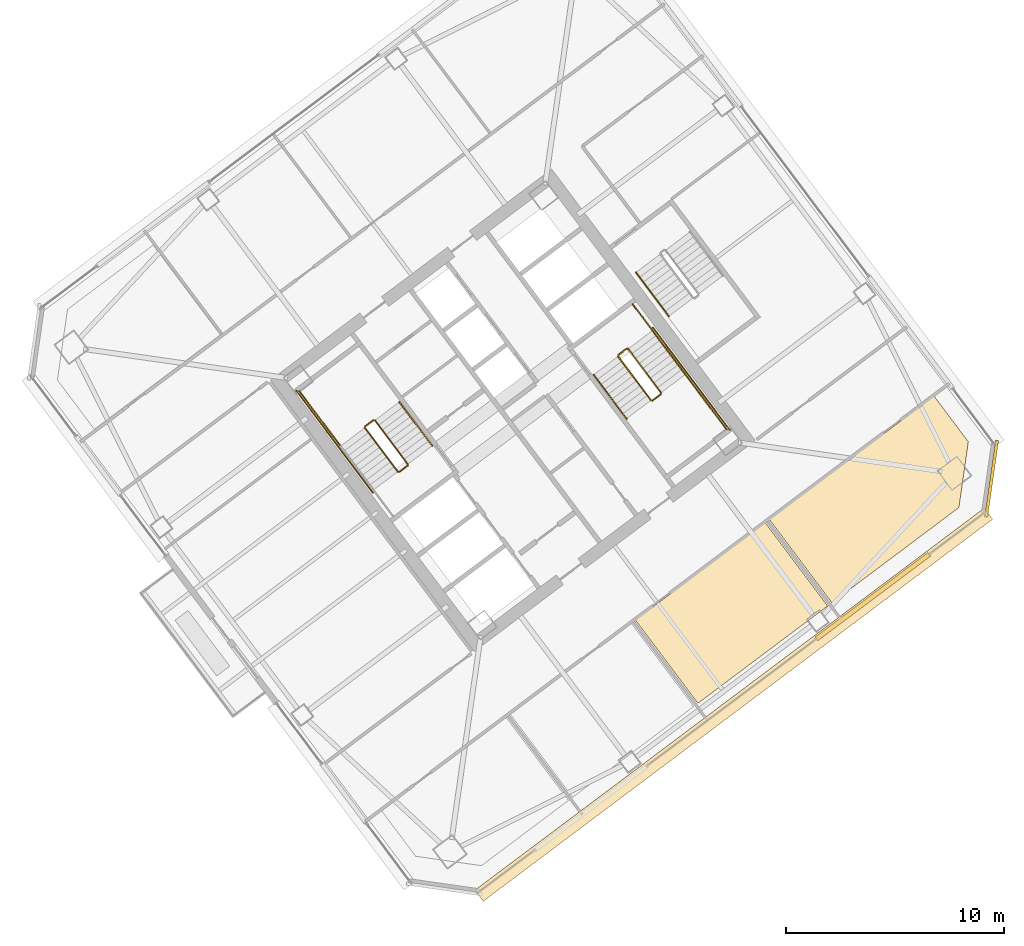
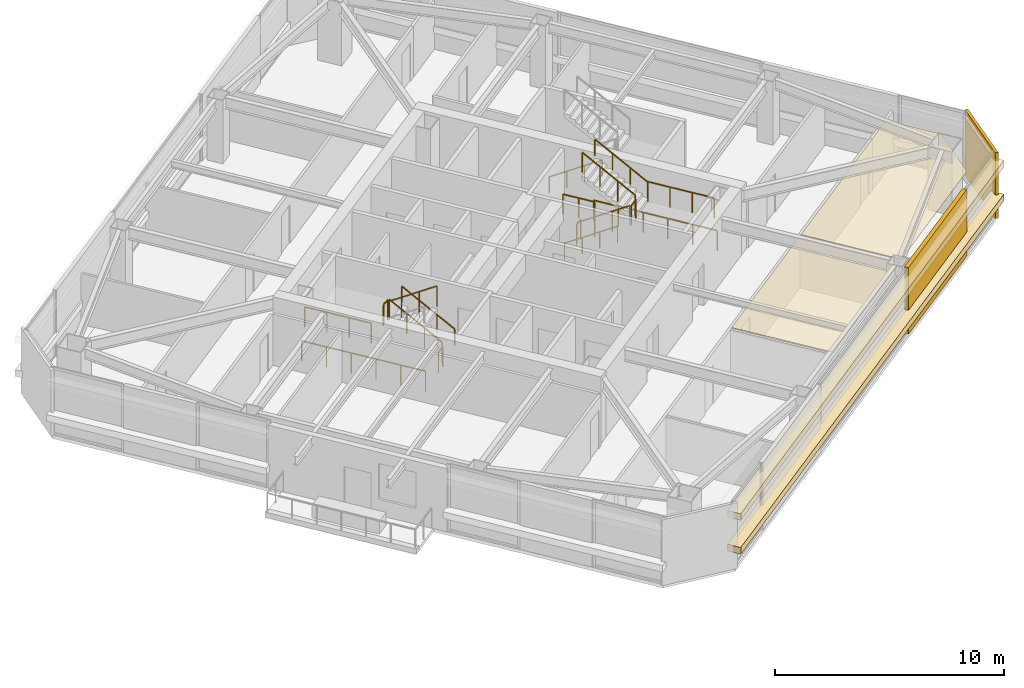
# One storey, part 39 of 41: 17 railings, 6 coverings.
"""IFC4 building model written with IfcOpenShell, lengths in metres."""

from ifc_helpers import new_model, si_unit, direction, frame, origin, origin_2d, place, context, subcontext, project, spatial, polyline, rectangle, outline, extrude, material, layer, layer_set, type_object, element, save


model = new_model("IFC4")

# Units and contexts
model_context = context("Model", 3, precision=1e-05, world=origin(), true_north=direction((0.0, 1.0)))
body_context = subcontext(model_context, "Body", "Model", "MODEL_VIEW")
ifc_project = project(units=[si_unit("LENGTHUNIT", "METRE"), si_unit("AREAUNIT", "SQUARE_METRE"), si_unit("VOLUMEUNIT", "CUBIC_METRE"), si_unit("PLANEANGLEUNIT", "RADIAN"), si_unit("MASSUNIT", "GRAM", prefix="KILO")], contexts=[model_context])

# Site, building, storey
site_placement = place(None, origin())
site = spatial("IfcSite", under=ifc_project, at=site_placement, CompositionType="ELEMENT")
building_placement = place(site_placement, origin())
building = spatial("IfcBuilding", under=site, at=building_placement, Name="Tashvorn Skyway Center", CompositionType="ELEMENT")
storey_placement = place(building_placement, frame((0.0, 0.0, 171.199951171875)))
storey = spatial("IfcBuildingStorey", under=building, at=storey_placement, Name="L46", CompositionType="ELEMENT", Elevation=171.199951171875)

# Coverings
ifc_material_1 = material(Name="Precast concrete C40/50", Category="concrete")
ifc_layer_1 = layer(ifc_material_1, 0.199951171875)
ifc_layer_set_1 = layer_set([ifc_layer_1], Name="Precast concrete C40/50")
covering_type_1 = type_object("IfcCoveringType", Name="COV-BRACE-CLAD", PredefinedType="CLADDING", material=ifc_layer_set_1)
covering_1_placement = place(storey_placement, frame((130.548095703125, 23.43603515625, 0.0), z_axis=(0.0, 0.0, 1.0), x_axis=(-0.799999996291, -0.600000004945, 0.0)))
element("IfcCovering", 1, at=covering_1_placement, inside=storey, type_object=covering_type_1, Name="Tower 2 L46 South Unitised Curtain Wall Mega-Brace Cladding Band 1", PredefinedType="CLADDING", context=body_context, shape_type="SweptSolid", body=[
    extrude(rectangle(XDim=6.47998046875, YDim=0.199951171875, at=origin_2d()), origin(), (0.0, 0.0, 1.0), 3.550048828125),
])
ifc_material_2 = material(Name="Mineral-fibre acoustic ceiling tile on suspended grid")
ifc_layer_2 = layer(ifc_material_2, 0.02001953125)
ifc_layer_set_2 = layer_set([ifc_layer_2], Name="Mineral-fibre acoustic ceiling tile on suspended grid")
covering_type_2 = type_object("IfcCoveringType", Name="COV-CEIL-20", PredefinedType="CEILING", material=ifc_layer_set_2)
covering_2_placement = place(storey_placement, frame((0.0, 0.0, 2.703125)))
element("IfcCovering", 2, at=covering_2_placement, inside=storey, type_object=covering_type_2, Name="Tower 2 L46 Staff Fitness Club Acoustic Ceiling", PredefinedType="CEILING", context=body_context, shape_type="SweptSolid", body=[
    extrude(outline(polyline([(119.6298828125, 22.360107421875), (125.597900390625, 26.8359375), (128.471923828125, 23.00390625), (122.50390625, 18.528076171875), (119.6298828125, 22.360107421875)])), origin(), (0.0, 0.0, 1.0), 0.02001953125),
])
covering_3_placement = place(storey_placement, frame((0.0, 0.0, 2.703125)))
element("IfcCovering", 3, at=covering_3_placement, inside=storey, type_object=covering_type_2, Name="Tower 2 L46 Catering Pantry Acoustic Ceiling", PredefinedType="CEILING", context=body_context, shape_type="SweptSolid", body=[
    extrude(outline(polyline([(128.6640625, 23.14794921875), (125.7900390625, 26.97998046875), (133.35791015625, 32.656005859375), (134.93603515625, 30.552001953125), (134.50390625, 27.528076171875), (128.6640625, 23.14794921875)])), origin(), (0.0, 0.0, 1.0), 0.02001953125),
])
ifc_material_3 = material(Name="Perforated ceramic-coated bronze aluminium solar screen", Category="aluminium")
ifc_layer_3 = layer(ifc_material_3, 0.85009765625)
ifc_layer_set_3 = layer_set([ifc_layer_3], Name="Perforated ceramic-coated bronze aluminium solar screen")
covering_type_3 = type_object("IfcCoveringType", Name="COV-SOLAR-BAND", PredefinedType="CLADDING", material=ifc_layer_set_3)
for number, where, z_axis, x_axis, name in (
    (4, (124.152099609375, 18.464111328125, 0.919921875), (0.0, 0.0, 1.0), (-0.799999996291, -0.600000004945, 0.0), "L46 Perforated Ceramic-Metal Solar Screen Louvre Band South 1"),
    (5, (124.152099609375, 18.464111328125, 2.72021484375), (0.0, 0.0, 1.0), (-0.799999996291, -0.600000004945, 0.0), "L46 Perforated Ceramic-Metal Solar Screen Louvre Band South 2"),
):
    element("IfcCovering", number, at=place(storey_placement, frame(where, z_axis=z_axis, x_axis=x_axis)), inside=storey, type_object=covering_type_3, Name=name, PredefinedType="CLADDING", context=body_context, shape_type="SweptSolid", body=[
        extrude(rectangle(XDim=29.280029296875, YDim=0.639892578125, at=origin_2d()), origin(), (0.0, 0.0, 1.0), 0.360107421875),
    ])
ifc_layer_4 = layer(ifc_material_1, 0.35009765625)
ifc_layer_set_4 = layer_set([ifc_layer_4], Name="Precast concrete C40/50")
covering_type_4 = type_object("IfcCoveringType", Name="COV-STONE-TRIM", PredefinedType="CLADDING", material=ifc_layer_set_4)
covering_4_placement = place(storey_placement, frame((136.008056640625, 28.85595703125, 0.02001953125), z_axis=(0.0, 0.0, 1.0), x_axis=(0.141421350118, 0.989949494535, 0.0)))
element("IfcCovering", 6, at=covering_4_placement, inside=storey, type_object=covering_type_4, Name="Tower 2 L46 SE Mojave Limestone Corner Quoin", PredefinedType="CLADDING", context=body_context, shape_type="SweptSolid", body=[
    extrude(rectangle(XDim=3.55419921875, YDim=0.139892578125, at=origin_2d()), origin(), (0.0, 0.0, 1.0), 3.510009765625),
])

# Railings
ifc_material_4 = material(Name="Brushed stainless steel 316", Category="steel")
railing_type_1 = type_object("IfcRailingType", Name="RAIL-HAND-920", PredefinedType="HANDRAIL", material=ifc_material_4)
railing_1_placement = place(storey_placement, frame((110.2880859375, 30.365966796875, 0.177490234375)))
element("IfcRailing", 7, at=railing_1_placement, inside=storey, type_object=railing_type_1, Name="L46 ST-T2-1 stair handrail 1", PredefinedType="HANDRAIL", context=body_context, shape_type="SweptSolid", body=[
    extrude(rectangle(XDim=0.048095703125, YDim=0.048095703125, at=origin_2d()), frame((0.0, 0.0, 0.8759765625), z_axis=(-0.506779409603, 0.675651334276, 0.53541563714), x_axis=(-0.799976749893, -0.600030998891, 0.0)), (0.0, 0.0, 1.0), 2.98388671875),
    extrude(rectangle(XDim=0.0419921875, YDim=0.0419921875, at=origin_2d()), origin(), (0.0, 0.0, 1.0), 0.851806640625),
    extrude(rectangle(XDim=0.0419921875, YDim=0.0419921875, at=origin_2d()), frame((-0.504150390625, 0.672119140625, 0.532470703125)), (0.0, 0.0, 1.0), 0.851806640625),
    extrude(rectangle(XDim=0.0419921875, YDim=0.0419921875, at=origin_2d()), frame((-1.008056640625, 1.343994140625, 1.065185546875)), (0.0, 0.0, 1.0), 0.851806640625),
    extrude(rectangle(XDim=0.0419921875, YDim=0.0419921875, at=origin_2d()), frame((-1.51220703125, 2.01611328125, 1.59765625)), (0.0, 0.0, 1.0), 0.851806640625),
])
railing_2_placement = place(storey_placement, frame((117.7119140625, 33.634033203125, 0.177490234375)))
element("IfcRailing", 8, at=railing_2_placement, inside=storey, type_object=railing_type_1, Name="L46 ST-T2-2 stair handrail 1", PredefinedType="HANDRAIL", context=body_context, shape_type="SweptSolid", body=[
    extrude(rectangle(XDim=0.048095703125, YDim=0.048095703125, at=origin_2d()), frame((0.0, 0.0, 0.8759765625), z_axis=(0.506779409603, -0.675651334276, 0.53541563714), x_axis=(0.799976749893, 0.600030998891, 0.0)), (0.0, 0.0, 1.0), 2.98388671875),
    extrude(rectangle(XDim=0.0419921875, YDim=0.0419921875, at=origin_2d()), origin(), (0.0, 0.0, 1.0), 0.851806640625),
    extrude(rectangle(XDim=0.0419921875, YDim=0.0419921875, at=origin_2d()), frame((0.504150390625, -0.672119140625, 0.532470703125)), (0.0, 0.0, 1.0), 0.851806640625),
    extrude(rectangle(XDim=0.0419921875, YDim=0.0419921875, at=origin_2d()), frame((1.008056640625, -1.343994140625, 1.065185546875)), (0.0, 0.0, 1.0), 0.851806640625),
    extrude(rectangle(XDim=0.0419921875, YDim=0.0419921875, at=origin_2d()), frame((1.51220703125, -2.01611328125, 1.59765625)), (0.0, 0.0, 1.0), 0.851806640625),
])
railing_3_placement = place(storey_placement, frame((121.927978515625, 33.64599609375, 1.95263671875)))
element("IfcRailing", 9, at=railing_3_placement, inside=storey, type_object=railing_type_1, Name="L46 ST-T2-2 stair handrail 2", PredefinedType="HANDRAIL", context=body_context, shape_type="SweptSolid", body=[
    extrude(rectangle(XDim=0.048095703125, YDim=0.048095703125, at=origin_2d()), frame((0.0, 0.0, 0.8759765625), z_axis=(-0.506740800098, 0.675708949977, 0.535379469569), x_axis=(-0.800023250257, -0.599968998406, 0.0)), (0.0, 0.0, 1.0), 2.983642578125),
    extrude(rectangle(XDim=0.0419921875, YDim=0.0419921875, at=origin_2d()), origin(), (0.0, 0.0, 1.0), 0.851806640625),
    extrude(rectangle(XDim=0.0419921875, YDim=0.0419921875, at=origin_2d()), frame((-0.50390625, 0.672119140625, 0.532470703125)), (0.0, 0.0, 1.0), 0.851806640625),
    extrude(rectangle(XDim=0.0419921875, YDim=0.0419921875, at=origin_2d()), frame((-1.008056640625, 1.343994140625, 1.06494140625)), (0.0, 0.0, 1.0), 0.851806640625),
    extrude(rectangle(XDim=0.0419921875, YDim=0.0419921875, at=origin_2d()), frame((-1.511962890625, 2.01611328125, 1.597412109375)), (0.0, 0.0, 1.0), 0.851806640625),
])
railing_4_placement = place(storey_placement, frame((119.656005859375, 38.342041015625, 0.177490234375)))
element("IfcRailing", 10, at=railing_4_placement, inside=storey, type_object=railing_type_1, Name="L46 ST-T2-3 stair handrail 1", PredefinedType="HANDRAIL", context=body_context, shape_type="SweptSolid", body=[
    extrude(rectangle(XDim=0.048095703125, YDim=0.048095703125, at=origin_2d()), frame((0.0, 0.0, 0.8759765625), z_axis=(0.506718600913, -0.675679348675, 0.535437836974), x_axis=(0.800023250257, 0.599968998406, 0.0)), (0.0, 0.0, 1.0), 2.98388671875),
    extrude(rectangle(XDim=0.0419921875, YDim=0.0419921875, at=origin_2d()), origin(), (0.0, 0.0, 1.0), 0.851806640625),
    extrude(rectangle(XDim=0.0419921875, YDim=0.0419921875, at=origin_2d()), frame((0.50390625, -0.672119140625, 0.532470703125)), (0.0, 0.0, 1.0), 0.851806640625),
    extrude(rectangle(XDim=0.0419921875, YDim=0.0419921875, at=origin_2d()), frame((1.008056640625, -1.343994140625, 1.065185546875)), (0.0, 0.0, 1.0), 0.851806640625),
    extrude(rectangle(XDim=0.0419921875, YDim=0.0419921875, at=origin_2d()), frame((1.511962890625, -2.01611328125, 1.59765625)), (0.0, 0.0, 1.0), 0.851806640625),
])
ifc_material_5 = material(Name="Painted galvanized steel S355", Category="steel")
railing_type_2 = type_object("IfcRailingType", Name="RAIL-STGUARD-1100", PredefinedType="GUARDRAIL", material=ifc_material_5)
railing_5_placement = place(storey_placement, frame((109.16796875, 29.52587890625, 0.177490234375)))
element("IfcRailing", 11, at=railing_5_placement, inside=storey, type_object=railing_type_2, Name="L46 ST-T2-1 stair guard 1", PredefinedType="GUARDRAIL", context=body_context, shape_type="SweptSolid", body=[
    extrude(rectangle(XDim=0.048095703125, YDim=0.048095703125, at=origin_2d()), frame((0.0, 0.0, 1.076171875), z_axis=(-0.506718600913, 0.675679348675, 0.535437836974), x_axis=(-0.800023250257, -0.599968998406, 0.0)), (0.0, 0.0, 1.0), 2.98388671875),
    extrude(rectangle(XDim=0.0419921875, YDim=0.0419921875, at=origin_2d()), origin(), (0.0, 0.0, 1.0), 1.052001953125),
    extrude(rectangle(XDim=0.0419921875, YDim=0.0419921875, at=origin_2d()), frame((-0.50390625, 0.672119140625, 0.532470703125)), (0.0, 0.0, 1.0), 1.052001953125),
    extrude(rectangle(XDim=0.0419921875, YDim=0.0419921875, at=origin_2d()), frame((-1.008056640625, 1.343994140625, 1.065185546875)), (0.0, 0.0, 1.0), 1.052001953125),
    extrude(rectangle(XDim=0.0419921875, YDim=0.0419921875, at=origin_2d()), frame((-1.511962890625, 2.01611328125, 1.59765625)), (0.0, 0.0, 1.0), 1.052001953125),
])
railing_6_placement = place(storey_placement, frame((107.5859375, 31.552001953125, 1.775146484375)))
element("IfcRailing", 12, at=railing_6_placement, inside=storey, type_object=railing_type_2, Name="L46 ST-T2-1 stair guard 2", PredefinedType="GUARDRAIL", context=body_context, shape_type="SweptSolid", body=[
    extrude(rectangle(XDim=0.048095703125, YDim=0.048095703125, at=origin_2d()), frame((0.0, 0.0, 1.076171875), z_axis=(-0.799938970639, -0.600081363861, 0.0), x_axis=(0.600081363861, -0.799938970639, 0.0)), (0.0, 0.0, 1.0), 0.47998046875),
    extrude(rectangle(XDim=0.0419921875, YDim=0.0419921875, at=origin_2d()), origin(), (0.0, 0.0, 1.0), 1.052001953125),
    extrude(rectangle(XDim=0.0419921875, YDim=0.0419921875, at=origin_2d()), frame((-0.384033203125, -0.2880859375, 0.0)), (0.0, 0.0, 1.0), 1.052001953125),
])
railing_7_placement = place(storey_placement, frame((106.072021484375, 30.35400390625, 1.775146484375)))
element("IfcRailing", 13, at=railing_7_placement, inside=storey, type_object=railing_type_2, Name="L46 ST-T2-1 stair guard 3", PredefinedType="GUARDRAIL", context=body_context, shape_type="SweptSolid", body=[
    extrude(rectangle(XDim=0.048095703125, YDim=0.048095703125, at=origin_2d()), frame((0.0, 0.0, 1.076171875), z_axis=(-0.599987638607, 0.800009270896, 0.0), x_axis=(-0.800009270896, -0.599987638607, 0.0)), (0.0, 0.0, 1.0), 3.16015625),
    extrude(rectangle(XDim=0.0419921875, YDim=0.0419921875, at=origin_2d()), origin(), (0.0, 0.0, 1.0), 1.052001953125),
    extrude(rectangle(XDim=0.0419921875, YDim=0.0419921875, at=origin_2d()), frame((-0.632080078125, 0.8427734375, 0.0)), (0.0, 0.0, 1.0), 1.052001953125),
    extrude(rectangle(XDim=0.0419921875, YDim=0.0419921875, at=origin_2d()), frame((-1.263916015625, 1.685302734375, 0.0)), (0.0, 0.0, 1.0), 1.052001953125),
    extrude(rectangle(XDim=0.0419921875, YDim=0.0419921875, at=origin_2d()), frame((-1.89599609375, 2.528076171875, 0.0)), (0.0, 0.0, 1.0), 1.052001953125),
])
railing_8_placement = place(storey_placement, frame((107.19189453125, 31.194091796875, 1.95263671875)))
element("IfcRailing", 14, at=railing_8_placement, inside=storey, type_object=railing_type_2, Name="L46 ST-T2-1 stair guard 4", PredefinedType="GUARDRAIL", context=body_context, shape_type="SweptSolid", body=[
    extrude(rectangle(XDim=0.048095703125, YDim=0.048095703125, at=origin_2d()), frame((0.0, 0.0, 1.076171875), z_axis=(0.506801609611, -0.675680931896, 0.535357270211), x_axis=(0.799976749893, 0.600030998891, 0.0)), (0.0, 0.0, 1.0), 2.98388671875),
    extrude(rectangle(XDim=0.0419921875, YDim=0.0419921875, at=origin_2d()), origin(), (0.0, 0.0, 1.0), 1.052001953125),
    extrude(rectangle(XDim=0.0419921875, YDim=0.0419921875, at=origin_2d()), frame((0.504150390625, -0.672119140625, 0.532470703125)), (0.0, 0.0, 1.0), 1.052001953125),
    extrude(rectangle(XDim=0.0419921875, YDim=0.0419921875, at=origin_2d()), frame((1.008056640625, -1.343994140625, 1.06494140625)), (0.0, 0.0, 1.0), 1.052001953125),
    extrude(rectangle(XDim=0.0419921875, YDim=0.0419921875, at=origin_2d()), frame((1.51220703125, -2.01611328125, 1.597412109375)), (0.0, 0.0, 1.0), 1.052001953125),
])
railing_9_placement = place(storey_placement, frame((109.157958984375, 29.4560546875, 0.0)))
element("IfcRailing", 15, at=railing_9_placement, inside=storey, type_object=railing_type_2, Name="L46 ST-T2-1 stair guard 5", PredefinedType="GUARDRAIL", context=body_context, shape_type="SweptSolid", body=[
    extrude(rectangle(XDim=0.048095703125, YDim=0.048095703125, at=origin_2d()), frame((0.0, 0.0, 1.076171875), z_axis=(-0.799938970639, -0.600081363861, 0.0), x_axis=(0.600081363861, -0.799938970639, 0.0)), (0.0, 0.0, 1.0), 0.47998046875),
    extrude(rectangle(XDim=0.0419921875, YDim=0.0419921875, at=origin_2d()), origin(), (0.0, 0.0, 1.0), 1.052001953125),
    extrude(rectangle(XDim=0.0419921875, YDim=0.0419921875, at=origin_2d()), frame((-0.384033203125, -0.2880859375, 0.0)), (0.0, 0.0, 1.0), 1.052001953125),
])
railing_10_placement = place(storey_placement, frame((107.56396484375, 28.197998046875, 0.0)))
element("IfcRailing", 16, at=railing_10_placement, inside=storey, type_object=railing_type_2, Name="L46 ST-T2-1 stair guard 7", PredefinedType="GUARDRAIL", context=body_context, shape_type="SweptSolid", body=[
    extrude(rectangle(XDim=0.048095703125, YDim=0.048095703125, at=origin_2d()), frame((0.0, 0.0, 1.076171875), z_axis=(-0.6, 0.8, 0.0), x_axis=(-0.8, -0.6, 0.0)), (0.0, 0.0, 1.0), 5.880126953125),
    extrude(rectangle(XDim=0.0419921875, YDim=0.0419921875, at=origin_2d()), origin(), (0.0, 0.0, 1.0), 1.052001953125),
    extrude(rectangle(XDim=0.0419921875, YDim=0.0419921875, at=origin_2d()), frame((-0.70556640625, 0.94091796875, 0.0)), (0.0, 0.0, 1.0), 1.052001953125),
    extrude(rectangle(XDim=0.0419921875, YDim=0.0419921875, at=origin_2d()), frame((-1.4111328125, 1.881591796875, 0.0)), (0.0, 0.0, 1.0), 1.052001953125),
    extrude(rectangle(XDim=0.0419921875, YDim=0.0419921875, at=origin_2d()), frame((-2.116943359375, 2.822509765625, 0.0)), (0.0, 0.0, 1.0), 1.052001953125),
    extrude(rectangle(XDim=0.0419921875, YDim=0.0419921875, at=origin_2d()), frame((-2.822509765625, 3.76318359375, 0.0)), (0.0, 0.0, 1.0), 1.052001953125),
    extrude(rectangle(XDim=0.0419921875, YDim=0.0419921875, at=origin_2d()), frame((-3.528076171875, 4.7041015625, 0.0)), (0.0, 0.0, 1.0), 1.052001953125),
])
railing_11_placement = place(storey_placement, frame((118.83203125, 34.47412109375, 0.177490234375)))
element("IfcRailing", 17, at=railing_11_placement, inside=storey, type_object=railing_type_2, Name="L46 ST-T2-2 stair guard 1", PredefinedType="GUARDRAIL", context=body_context, shape_type="SweptSolid", body=[
    extrude(rectangle(XDim=0.048095703125, YDim=0.048095703125, at=origin_2d()), frame((0.0, 0.0, 1.076171875), z_axis=(0.506718600913, -0.675679348675, 0.535437836974), x_axis=(0.800023250257, 0.599968998406, 0.0)), (0.0, 0.0, 1.0), 2.98388671875),
    extrude(rectangle(XDim=0.0419921875, YDim=0.0419921875, at=origin_2d()), origin(), (0.0, 0.0, 1.0), 1.052001953125),
    extrude(rectangle(XDim=0.0419921875, YDim=0.0419921875, at=origin_2d()), frame((0.50390625, -0.672119140625, 0.532470703125)), (0.0, 0.0, 1.0), 1.052001953125),
    extrude(rectangle(XDim=0.0419921875, YDim=0.0419921875, at=origin_2d()), frame((1.008056640625, -1.343994140625, 1.065185546875)), (0.0, 0.0, 1.0), 1.052001953125),
    extrude(rectangle(XDim=0.0419921875, YDim=0.0419921875, at=origin_2d()), frame((1.511962890625, -2.01611328125, 1.59765625)), (0.0, 0.0, 1.0), 1.052001953125),
])
railing_12_placement = place(storey_placement, frame((120.4140625, 32.447998046875, 1.775146484375)))
element("IfcRailing", 18, at=railing_12_placement, inside=storey, type_object=railing_type_2, Name="L46 ST-T2-2 stair guard 2", PredefinedType="GUARDRAIL", context=body_context, shape_type="SweptSolid", body=[
    extrude(rectangle(XDim=0.048095703125, YDim=0.048095703125, at=origin_2d()), frame((0.0, 0.0, 1.076171875), z_axis=(0.799938970639, 0.600081363861, 0.0), x_axis=(-0.600081363861, 0.799938970639, 0.0)), (0.0, 0.0, 1.0), 0.47998046875),
    extrude(rectangle(XDim=0.0419921875, YDim=0.0419921875, at=origin_2d()), origin(), (0.0, 0.0, 1.0), 1.052001953125),
    extrude(rectangle(XDim=0.0419921875, YDim=0.0419921875, at=origin_2d()), frame((0.384033203125, 0.2880859375, 0.0)), (0.0, 0.0, 1.0), 1.052001953125),
])
railing_13_placement = place(storey_placement, frame((121.927978515625, 33.64599609375, 1.775146484375)))
element("IfcRailing", 19, at=railing_13_placement, inside=storey, type_object=railing_type_2, Name="L46 ST-T2-2 stair guard 3", PredefinedType="GUARDRAIL", context=body_context, shape_type="SweptSolid", body=[
    extrude(rectangle(XDim=0.048095703125, YDim=0.048095703125, at=origin_2d()), frame((0.0, 0.0, 1.076171875), z_axis=(0.599987638607, -0.800009270896, 0.0), x_axis=(0.800009270896, 0.599987638607, 0.0)), (0.0, 0.0, 1.0), 3.16015625),
    extrude(rectangle(XDim=0.0419921875, YDim=0.0419921875, at=origin_2d()), origin(), (0.0, 0.0, 1.0), 1.052001953125),
    extrude(rectangle(XDim=0.0419921875, YDim=0.0419921875, at=origin_2d()), frame((0.632080078125, -0.8427734375, 0.0)), (0.0, 0.0, 1.0), 1.052001953125),
    extrude(rectangle(XDim=0.0419921875, YDim=0.0419921875, at=origin_2d()), frame((1.263916015625, -1.685302734375, 0.0)), (0.0, 0.0, 1.0), 1.052001953125),
    extrude(rectangle(XDim=0.0419921875, YDim=0.0419921875, at=origin_2d()), frame((1.89599609375, -2.528076171875, 0.0)), (0.0, 0.0, 1.0), 1.052001953125),
])
railing_14_placement = place(storey_placement, frame((120.80810546875, 32.805908203125, 1.95263671875)))
element("IfcRailing", 20, at=railing_14_placement, inside=storey, type_object=railing_type_2, Name="L46 ST-T2-2 stair guard 4", PredefinedType="GUARDRAIL", context=body_context, shape_type="SweptSolid", body=[
    extrude(rectangle(XDim=0.048095703125, YDim=0.048095703125, at=origin_2d()), frame((0.0, 0.0, 1.076171875), z_axis=(-0.506801609611, 0.675680931896, 0.535357270211), x_axis=(-0.799976749893, -0.600030998891, 0.0)), (0.0, 0.0, 1.0), 2.98388671875),
    extrude(rectangle(XDim=0.0419921875, YDim=0.0419921875, at=origin_2d()), origin(), (0.0, 0.0, 1.0), 1.052001953125),
    extrude(rectangle(XDim=0.0419921875, YDim=0.0419921875, at=origin_2d()), frame((-0.504150390625, 0.672119140625, 0.532470703125)), (0.0, 0.0, 1.0), 1.052001953125),
    extrude(rectangle(XDim=0.0419921875, YDim=0.0419921875, at=origin_2d()), frame((-1.008056640625, 1.343994140625, 1.06494140625)), (0.0, 0.0, 1.0), 1.052001953125),
    extrude(rectangle(XDim=0.0419921875, YDim=0.0419921875, at=origin_2d()), frame((-1.51220703125, 2.01611328125, 1.597412109375)), (0.0, 0.0, 1.0), 1.052001953125),
])
railing_15_placement = place(storey_placement, frame((118.842041015625, 34.5439453125, 0.0)))
element("IfcRailing", 21, at=railing_15_placement, inside=storey, type_object=railing_type_2, Name="L46 ST-T2-2 stair guard 5", PredefinedType="GUARDRAIL", context=body_context, shape_type="SweptSolid", body=[
    extrude(rectangle(XDim=0.048095703125, YDim=0.048095703125, at=origin_2d()), frame((0.0, 0.0, 1.076171875), z_axis=(0.799938970639, 0.600081363861, 0.0), x_axis=(-0.600081363861, 0.799938970639, 0.0)), (0.0, 0.0, 1.0), 0.47998046875),
    extrude(rectangle(XDim=0.0419921875, YDim=0.0419921875, at=origin_2d()), origin(), (0.0, 0.0, 1.0), 1.052001953125),
    extrude(rectangle(XDim=0.0419921875, YDim=0.0419921875, at=origin_2d()), frame((0.384033203125, 0.2880859375, 0.0)), (0.0, 0.0, 1.0), 1.052001953125),
])
railing_16_placement = place(storey_placement, frame((119.50390625, 36.8779296875, 0.0)))
element("IfcRailing", 22, at=railing_16_placement, inside=storey, type_object=railing_type_2, Name="L46 ST-T2-2 stair guard 6", PredefinedType="GUARDRAIL", context=body_context, shape_type="SweptSolid", body=[
    extrude(rectangle(XDim=0.048095703125, YDim=0.048095703125, at=origin_2d()), frame((0.0, 0.0, 1.076171875), z_axis=(0.600102796382, -0.799922892393, 0.0), x_axis=(0.799922892393, 0.600102796382, 0.0)), (0.0, 0.0, 1.0), 1.52001953125),
    extrude(rectangle(XDim=0.0419921875, YDim=0.0419921875, at=origin_2d()), origin(), (0.0, 0.0, 1.0), 1.052001953125),
    extrude(rectangle(XDim=0.0419921875, YDim=0.0419921875, at=origin_2d()), frame((0.4560546875, -0.60791015625, 0.0)), (0.0, 0.0, 1.0), 1.052001953125),
    extrude(rectangle(XDim=0.0419921875, YDim=0.0419921875, at=origin_2d()), frame((0.912109375, -1.2158203125, 0.0)), (0.0, 0.0, 1.0), 1.052001953125),
])
railing_17_placement = place(storey_placement, frame((120.43603515625, 35.802001953125, 0.0)))
element("IfcRailing", 23, at=railing_17_placement, inside=storey, type_object=railing_type_2, Name="L46 ST-T2-2 stair guard 7", PredefinedType="GUARDRAIL", context=body_context, shape_type="SweptSolid", body=[
    extrude(rectangle(XDim=0.048095703125, YDim=0.048095703125, at=origin_2d()), frame((0.0, 0.0, 1.076171875), z_axis=(0.6, -0.8, 0.0), x_axis=(0.8, 0.6, 0.0)), (0.0, 0.0, 1.0), 5.880126953125),
    extrude(rectangle(XDim=0.0419921875, YDim=0.0419921875, at=origin_2d()), origin(), (0.0, 0.0, 1.0), 1.052001953125),
    extrude(rectangle(XDim=0.0419921875, YDim=0.0419921875, at=origin_2d()), frame((0.70556640625, -0.94091796875, 0.0)), (0.0, 0.0, 1.0), 1.052001953125),
    extrude(rectangle(XDim=0.0419921875, YDim=0.0419921875, at=origin_2d()), frame((1.4111328125, -1.881591796875, 0.0)), (0.0, 0.0, 1.0), 1.052001953125),
    extrude(rectangle(XDim=0.0419921875, YDim=0.0419921875, at=origin_2d()), frame((2.116943359375, -2.822509765625, 0.0)), (0.0, 0.0, 1.0), 1.052001953125),
    extrude(rectangle(XDim=0.0419921875, YDim=0.0419921875, at=origin_2d()), frame((2.822509765625, -3.76318359375, 0.0)), (0.0, 0.0, 1.0), 1.052001953125),
    extrude(rectangle(XDim=0.0419921875, YDim=0.0419921875, at=origin_2d()), frame((3.528076171875, -4.7041015625, 0.0)), (0.0, 0.0, 1.0), 1.052001953125),
])

save(model, "model.ifc")
